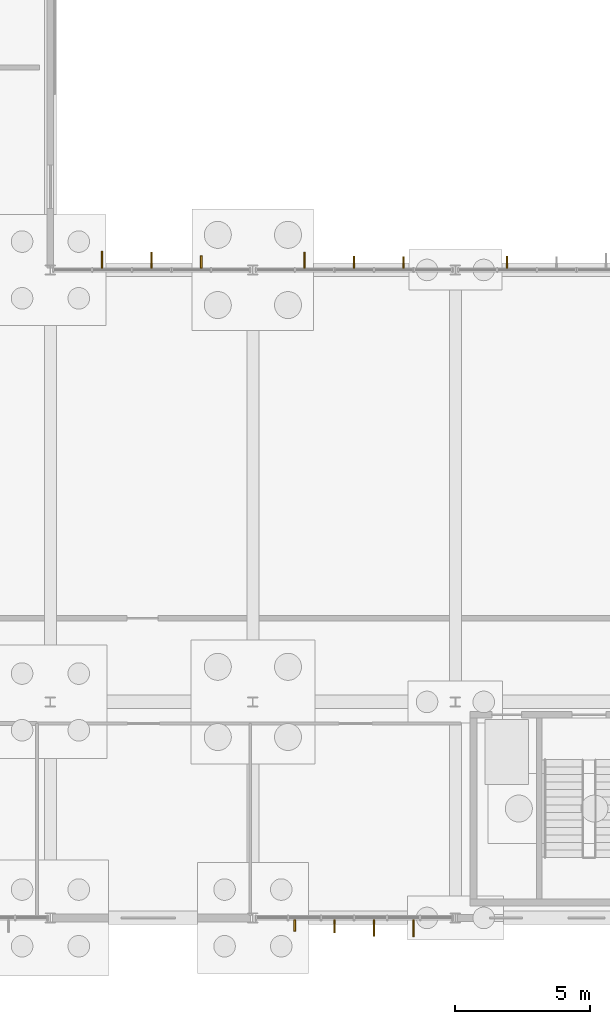
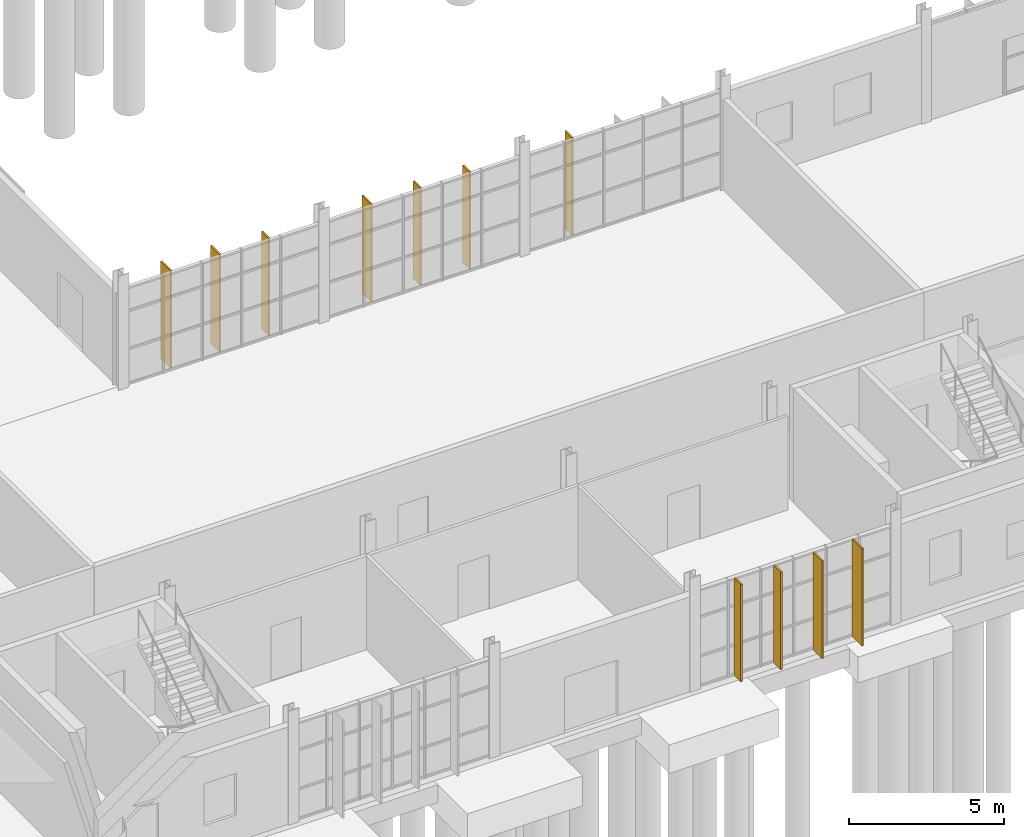
# One storey, part 120 of 136: 11 coverings.
"""IFC4 building model written with IfcOpenShell, lengths in metres."""

from ifc_helpers import new_model, si_unit, direction, frame, origin, origin_2d, place, context, subcontext, project, spatial, rectangle, extrude, material, layer, layer_set, type_object, element, save


model = new_model("IFC4")

# Units and contexts
model_context = context("Model", 3, precision=1e-05, world=origin(), true_north=direction((0.0, 1.0)))
body_context = subcontext(model_context, "Body", "Model", "MODEL_VIEW")
ifc_project = project(units=[si_unit("LENGTHUNIT", "METRE"), si_unit("AREAUNIT", "SQUARE_METRE"), si_unit("VOLUMEUNIT", "CUBIC_METRE"), si_unit("PLANEANGLEUNIT", "RADIAN"), si_unit("MASSUNIT", "GRAM", prefix="KILO")], contexts=[model_context])

# Site, building, storey
site_placement = place(None, origin())
site = spatial("IfcSite", under=ifc_project, at=site_placement, CompositionType="ELEMENT")
building_placement = place(site_placement, origin())
building = spatial("IfcBuilding", under=site, at=building_placement, Name="Solvenia Promenade Tram Depot", CompositionType="ELEMENT")
storey_placement = place(building_placement, origin())
storey = spatial("IfcBuildingStorey", under=building, at=storey_placement, Name="L00", CompositionType="ELEMENT", Elevation=0.0)

# Coverings
ifc_material = material(Name="Anodized aluminium AW-6063 T6", Category="aluminium")
ifc_layer = layer(ifc_material, 0.06005859375, Name="Anodized aluminium AW-6063 T6", Category="aluminium")
ifc_layer_set = layer_set([ifc_layer], Name="Anodized aluminium AW-6063 T6")
covering_type = type_object("IfcCoveringType", Name="Fin-Param-560", PredefinedType="CLADDING", material=ifc_layer_set)
covering_1_placement = place(storey_placement, frame((54.048095703125, -0.287109375, 0.0), z_axis=(0.0, 0.0, 1.0), x_axis=(1.0, 0.0, 0.0)))
element("IfcCovering", 1, at=covering_1_placement, inside=storey, type_object=covering_type, Name="Parametric Vertical Brise-Soleil Fin 273", PredefinedType="CLADDING", context=body_context, shape_type="SweptSolid", body=[
    extrude(rectangle(XDim=0.06005859375, YDim=0.424072265625, at=origin_2d()), origin(), (0.0, 0.0, 1.0), 3.85009765625),
])
covering_2_placement = place(storey_placement, frame((55.51611328125, -0.31005859375, 0.0), z_axis=(0.0, 0.0, 1.0), x_axis=(1.0, 0.0, 0.0)))
element("IfcCovering", 2, at=covering_2_placement, inside=storey, type_object=covering_type, Name="Parametric Vertical Brise-Soleil Fin 274", PredefinedType="CLADDING", context=body_context, shape_type="SweptSolid", body=[
    extrude(rectangle(XDim=0.06005859375, YDim=0.469970703125, at=origin_2d()), origin(), (0.0, 0.0, 1.0), 3.85009765625),
])
covering_3_placement = place(storey_placement, frame((56.98388671875, -0.375, 0.0), z_axis=(0.0, 0.0, 1.0), x_axis=(1.0, 0.0, 0.0)))
element("IfcCovering", 3, at=covering_3_placement, inside=storey, type_object=covering_type, Name="Parametric Vertical Brise-Soleil Fin 275", PredefinedType="CLADDING", context=body_context, shape_type="SweptSolid", body=[
    extrude(rectangle(XDim=0.06005859375, YDim=0.60009765625, at=origin_2d()), origin(), (0.0, 0.0, 1.0), 3.85009765625),
])
for number, where, z_axis, x_axis, name in (
    (4, (58.451904296875, -0.39111328125, 0.0), (0.0, 0.0, 1.0), (1.0, 0.0, 0.0), "Parametric Vertical Brise-Soleil Fin 276"),
    (5, (46.9150390625, 24.3759765625, 0.0), (0.0, 0.0, 1.0), (1.0, 0.0, 0.0), "Parametric Vertical Brise-Soleil Fin 281"),
):
    element("IfcCovering", number, at=place(storey_placement, frame(where, z_axis=z_axis, x_axis=x_axis)), inside=storey, type_object=covering_type, Name=name, PredefinedType="CLADDING", context=body_context, shape_type="SweptSolid", body=[
        extrude(rectangle(XDim=0.06005859375, YDim=0.632080078125, at=origin_2d()), origin(), (0.0, 0.0, 1.0), 3.85009765625),
    ])
covering_4_placement = place(storey_placement, frame((48.75, 24.3564453125, 0.0), z_axis=(0.0, 0.0, 1.0), x_axis=(1.0, 0.0, 0.0)))
element("IfcCovering", 6, at=covering_4_placement, inside=storey, type_object=covering_type, Name="Parametric Vertical Brise-Soleil Fin 282", PredefinedType="CLADDING", context=body_context, shape_type="SweptSolid", body=[
    extrude(rectangle(XDim=0.06005859375, YDim=0.593017578125, at=origin_2d()), origin(), (0.0, 0.0, 1.0), 3.85009765625),
])
covering_5_placement = place(storey_placement, frame((50.5849609375, 24.2890625, 0.0), z_axis=(0.0, 0.0, 1.0), x_axis=(1.0, 0.0, 0.0)))
element("IfcCovering", 7, at=covering_5_placement, inside=storey, type_object=covering_type, Name="Parametric Vertical Brise-Soleil Fin 283", PredefinedType="CLADDING", context=body_context, shape_type="SweptSolid", body=[
    extrude(rectangle(XDim=0.06005859375, YDim=0.4580078125, at=origin_2d()), origin(), (0.0, 0.0, 1.0), 3.85009765625),
])
covering_6_placement = place(storey_placement, frame((54.4150390625, 24.35546875, 0.0), z_axis=(0.0, 0.0, 1.0), x_axis=(1.0, 0.0, 0.0)))
element("IfcCovering", 8, at=covering_6_placement, inside=storey, type_object=covering_type, Name="Parametric Vertical Brise-Soleil Fin 284", PredefinedType="CLADDING", context=body_context, shape_type="SweptSolid", body=[
    extrude(rectangle(XDim=0.06005859375, YDim=0.591064453125, at=origin_2d()), origin(), (0.0, 0.0, 1.0), 3.85009765625),
])
covering_7_placement = place(storey_placement, frame((56.25, 24.2880859375, 0.0), z_axis=(0.0, 0.0, 1.0), x_axis=(1.0, 0.0, 0.0)))
element("IfcCovering", 9, at=covering_7_placement, inside=storey, type_object=covering_type, Name="Parametric Vertical Brise-Soleil Fin 285", PredefinedType="CLADDING", context=body_context, shape_type="SweptSolid", body=[
    extrude(rectangle(XDim=0.06005859375, YDim=0.4560546875, at=origin_2d()), origin(), (0.0, 0.0, 1.0), 3.85009765625),
])
covering_8_placement = place(storey_placement, frame((58.0849609375, 24.276611328125, 0.0), z_axis=(0.0, 0.0, 1.0), x_axis=(1.0, 0.0, 0.0)))
element("IfcCovering", 10, at=covering_8_placement, inside=storey, type_object=covering_type, Name="Parametric Vertical Brise-Soleil Fin 286", PredefinedType="CLADDING", context=body_context, shape_type="SweptSolid", body=[
    extrude(rectangle(XDim=0.06005859375, YDim=0.43310546875, at=origin_2d()), origin(), (0.0, 0.0, 1.0), 3.85009765625),
])
covering_9_placement = place(storey_placement, frame((61.9150390625, 24.287109375, 0.0), z_axis=(0.0, 0.0, 1.0), x_axis=(1.0, 0.0, 0.0)))
element("IfcCovering", 11, at=covering_9_placement, inside=storey, type_object=covering_type, Name="Parametric Vertical Brise-Soleil Fin 287", PredefinedType="CLADDING", context=body_context, shape_type="SweptSolid", body=[
    extrude(rectangle(XDim=0.06005859375, YDim=0.4541015625, at=origin_2d()), origin(), (0.0, 0.0, 1.0), 3.85009765625),
])

save(model, "model.ifc")
